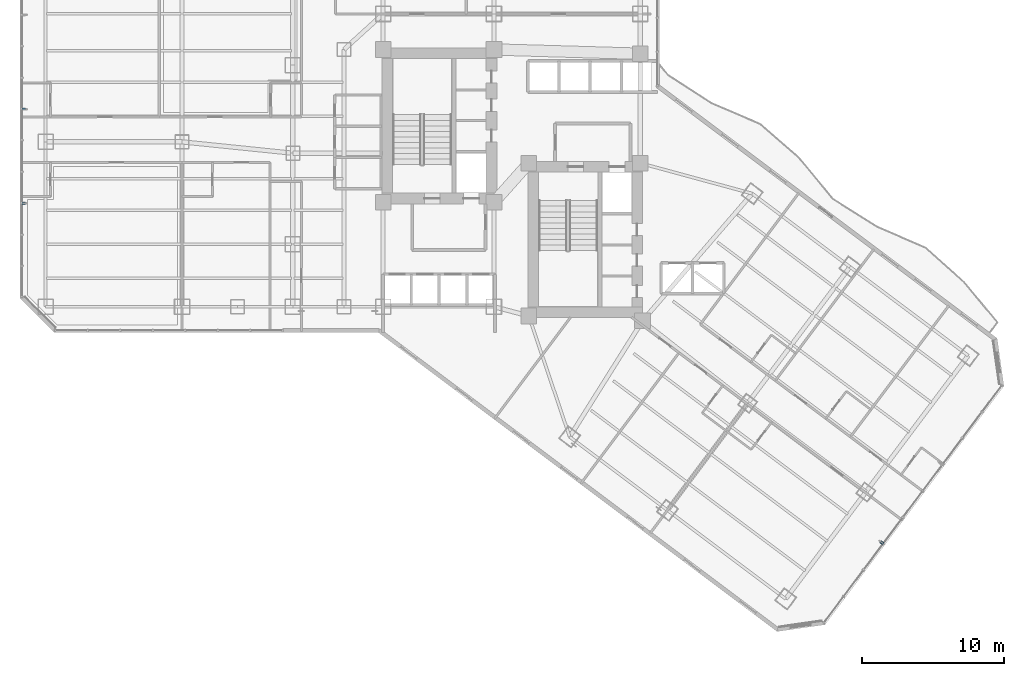
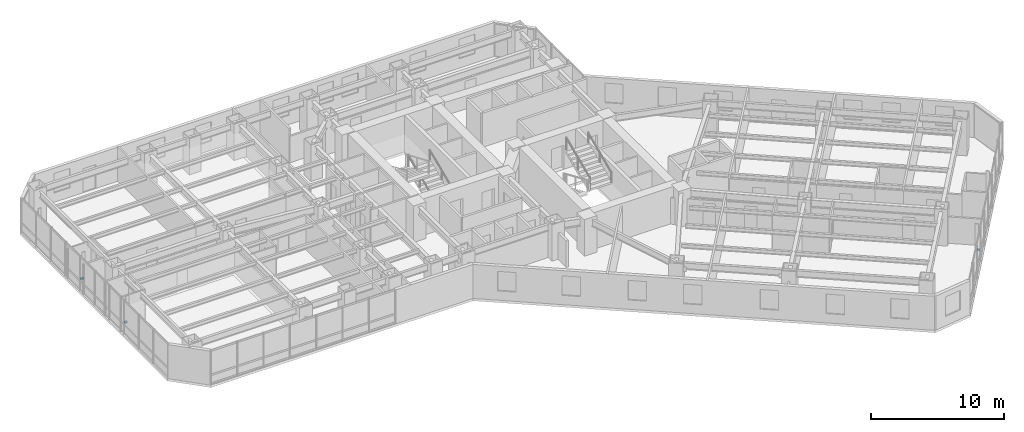
# One storey, part 28 of 37: 3 discrete accessories.
"""IFC4 building model written with IfcOpenShell, lengths in metres."""

import ifcopenshell
import ifcopenshell.guid

model = None  # the IFC model being written
_history = None  # IfcOwnerHistory: only IFC2X3 demands one
_inside = {}  # id of a spatial element -> (the spatial element, [elements in it])
_under = {}  # id of a project, library or spatial element -> (it, [spatial elements below it])
_declared = {}  # id of a project -> (the project, [libraries it declares])
_typed = {}  # id of a type object -> (the type object, [elements of that type])
_made_of = {}  # id of a material, layer set ... -> (it, [elements and type objects made of it])


def new_model(schema):
    """Start an empty IFC model of exactly this schema.

    Asked for "IFC4X3", IfcOpenShell would pick the latest addendum, in which some entities
    have other attributes; the version numbers below select the first issue.
    IFC2X3 requires an IfcOwnerHistory on every rooted entity: one is made here for all.
    """
    global model, _history
    if schema == "IFC4X3":
        model = ifcopenshell.file(schema_version=(4, 3, 0, 0))
    else:
        model = ifcopenshell.file(schema=schema)
    _inside.clear()
    _under.clear()
    _declared.clear()
    _typed.clear()
    _made_of.clear()
    _history = None
    if model.schema == "IFC2X3":
        org = make("IfcOrganization", Name="unknown")
        user = make(
            "IfcPersonAndOrganization",
            ThePerson=make("IfcPerson", FamilyName="unknown"),
            TheOrganization=org,
        )
        app = make(
            "IfcApplication",
            ApplicationDeveloper=org,
            Version="unknown",
            ApplicationFullName="unknown",
            ApplicationIdentifier="unknown",
        )
        _history = make(
            "IfcOwnerHistory",
            OwningUser=user,
            OwningApplication=app,
            ChangeAction="ADDED",
            CreationDate=0,
        )
    return model


def make(cls, **values):
    """One entity of the class cls with the attributes given. An attribute that is None is left unset."""
    return model.create_entity(
        cls, **{name: value for name, value in values.items() if value is not None}
    )


def rooted(cls, **values):
    """An entity with a GlobalId (a new one), such as an element, a storey or a relation."""
    return make(cls, GlobalId=ifcopenshell.guid.new(), OwnerHistory=_history, **values)


def si_unit(unit_type, name, prefix=None):
    """IfcSIUnit, for example si_unit("LENGTHUNIT", "METRE", prefix="MILLI")."""
    return make("IfcSIUnit", UnitType=unit_type, Prefix=prefix, Name=name)


def assignment(units):
    """IfcUnitAssignment: the units of a project."""
    return None if units is None else make("IfcUnitAssignment", Units=units)


def point(xyz):
    """IfcCartesianPoint."""
    return None if xyz is None else make("IfcCartesianPoint", Coordinates=xyz)


def direction(xyz):
    """IfcDirection."""
    return None if xyz is None else make("IfcDirection", DirectionRatios=xyz)


def frame(location, z_axis=None, x_axis=None):
    """IfcAxis2Placement3D, a coordinate frame: its origin and axes. An axis left out is left unset."""
    return make(
        "IfcAxis2Placement3D",
        Location=point(location),
        Axis=direction(z_axis),
        RefDirection=direction(x_axis),
    )


def frame_2d(location, x_axis=None):
    """IfcAxis2Placement2D, a coordinate frame in the plane: its origin and x axis."""
    return make(
        "IfcAxis2Placement2D", Location=point(location), RefDirection=direction(x_axis)
    )


def origin():
    """The frame at (0, 0, 0) with its axes left unset."""
    return frame((0.0, 0.0, 0.0))


def origin_2d():
    """The frame at (0, 0) in the plane with its x axis left unset."""
    return frame_2d((0.0, 0.0))


def place(relative_to, where):
    """IfcLocalPlacement: puts the frame where relative to a parent placement (None: the world)."""
    return make(
        "IfcLocalPlacement", PlacementRelTo=relative_to, RelativePlacement=where
    )


def context(
    kind, dimensions, precision=None, world=None, true_north=None, identifier=None
):
    """IfcGeometricRepresentationContext, for example the 3D "Model" context."""
    return make(
        "IfcGeometricRepresentationContext",
        ContextIdentifier=identifier,
        ContextType=kind,
        CoordinateSpaceDimension=dimensions,
        Precision=precision,
        WorldCoordinateSystem=world,
        TrueNorth=true_north,
    )


def subcontext(parent, identifier, kind, view, scale=None):
    """IfcGeometricRepresentationSubContext, for example "Body" below "Model"."""
    return make(
        "IfcGeometricRepresentationSubContext",
        ContextIdentifier=identifier,
        ContextType=kind,
        ParentContext=parent,
        TargetScale=scale,
        TargetView=view,
    )


def project(units=None, contexts=None):
    """IfcProject with its units and contexts."""
    return rooted(
        "IfcProject",
        Name="project",
        RepresentationContexts=contexts,
        UnitsInContext=assignment(units),
    )


def spatial(cls, under=None, at=None, **own):
    """A site, building, storey or space (cls), placed at a placement, below another one or the project."""
    s = rooted(cls, ObjectPlacement=at, **own)
    if under is not None:
        _under.setdefault(under.id(), (under, []))[1].append(s)
    return s


def profile(cls, at=None, kind="AREA", **sizes):
    """A parametric profile (cls). Its sizes go by their IFC names, for example OverallWidth=200.0."""
    return make(cls, ProfileType=kind, Position=at, **sizes)


def rectangle(**sizes):
    """IfcRectangleProfileDef."""
    return profile("IfcRectangleProfileDef", **sizes)


def extrude(swept, where, along, depth):
    """IfcExtrudedAreaSolid: the profile swept, set in the frame where, extruded along a direction by depth."""
    return make(
        "IfcExtrudedAreaSolid",
        SweptArea=swept,
        Position=where,
        ExtrudedDirection=direction(along),
        Depth=depth,
    )


def shape(context_of_items, identifier, shape_type, items):
    """IfcShapeRepresentation: the items that make up one representation, for example the "Body"."""
    return make(
        "IfcShapeRepresentation",
        ContextOfItems=context_of_items,
        RepresentationIdentifier=identifier,
        RepresentationType=shape_type,
        Items=items,
    )


def material(Name=None, Category=None):
    """IfcMaterial."""
    return make("IfcMaterial", Name=Name, Category=Category)


def made_of(thing, what):
    """Note that an element or type object is made of a material, layer set ...; save() writes the relation."""
    if what is not None:
        _made_of.setdefault(what.id(), (what, []))[1].append(thing)
    return thing


def type_object(cls, material=None, **own):
    """A type object (cls), such as IfcWallType, which elements share."""
    return made_of(rooted(cls, **own), material)


def element(
    cls,
    number,
    at=None,
    inside=None,
    cuts=None,
    type_object=None,
    material=None,
    context=None,
    identifier="Body",
    shape_type=None,
    held_by="IfcProductDefinitionShape",
    body=None,
    shapes=None,
    **own,
):
    """One element of the class cls, such as IfcWall. Its Tag is "e" and its number.

    at: its placement. inside: the storey or other place that contains it. cuts: it is an
    opening in that element (IfcRelVoidsElement). A single representation is given by context,
    identifier, shape_type and body (its items); several are given by shapes. held_by: the class
    of the entity that holds the representations. save() writes the other relations.
    """
    e = rooted(cls, Tag="e%d" % number, ObjectPlacement=at, **own)
    if body is not None:
        shapes = [shape(context, identifier, shape_type, body)]
    if shapes is not None:
        e.Representation = make(held_by, Representations=shapes)
    if inside is not None:
        _inside.setdefault(inside.id(), (inside, []))[1].append(e)
    if cuts is not None:
        rooted(
            "IfcRelVoidsElement", RelatingBuildingElement=cuts, RelatedOpeningElement=e
        )
    if type_object is not None:
        _typed.setdefault(type_object.id(), (type_object, []))[1].append(e)
    return made_of(e, material)


def aggregate(whole, parts):
    """IfcRelAggregates: a whole, such as a stair, and the parts it consists of."""
    return rooted("IfcRelAggregates", RelatingObject=whole, RelatedObjects=parts)


def save(model, path):
    """Write the relations noted so far, then the file.

    IfcRelAggregates (storeys below a building ...), IfcRelContainedInSpatialStructure (elements
    in a storey), IfcRelDefinesByType, IfcRelAssociatesMaterial and IfcRelDeclares: one each for
    every whole, place, type object, material and project.
    """
    for whole, parts in _under.values():
        aggregate(whole, parts)
    for where, things in _inside.values():
        rooted(
            "IfcRelContainedInSpatialStructure",
            RelatedElements=things,
            RelatingStructure=where,
        )
    for kind, things in _typed.values():
        rooted("IfcRelDefinesByType", RelatedObjects=things, RelatingType=kind)
    for what, things in _made_of.values():
        rooted("IfcRelAssociatesMaterial", RelatedObjects=things, RelatingMaterial=what)
    for by, libraries in _declared.values():
        rooted("IfcRelDeclares", RelatingContext=by, RelatedDefinitions=libraries)
    model.write(path)


model = new_model("IFC4")

# Units and contexts
model_context = context("Model", 3, precision=1e-05, world=origin(), true_north=direction((0.0, 1.0)))
body_context = subcontext(model_context, "Body", "Model", "MODEL_VIEW")
ifc_project = project(units=[si_unit("LENGTHUNIT", "METRE"), si_unit("AREAUNIT", "SQUARE_METRE"), si_unit("VOLUMEUNIT", "CUBIC_METRE"), si_unit("PLANEANGLEUNIT", "RADIAN"), si_unit("MASSUNIT", "GRAM", prefix="KILO")], contexts=[model_context])

# Site, building, storey
site_placement = place(None, origin())
site = spatial("IfcSite", under=ifc_project, at=site_placement, CompositionType="ELEMENT")
building_placement = place(site_placement, origin())
building = spatial("IfcBuilding", under=site, at=building_placement, Name="Hatsunagi Terrace Concourse", CompositionType="ELEMENT")
storey_placement = place(building_placement, frame((0.0, 0.0, 39.949951171875)))
storey = spatial("IfcBuildingStorey", under=building, at=storey_placement, Name="L09", CompositionType="ELEMENT", Elevation=39.949951171875)

# Discrete accessories
ifc_material = material(Name="Stainless Steel SUS316 Bracket", Category="steel")
discrete_accessory_type = type_object("IfcDiscreteAccessoryType", Name="FacadeScreenSupportBracket_SS", PredefinedType="BRACKET", material=ifc_material)
for number, where, z_axis, x_axis, name in (
    (1, (60.652099609375, 8.5849609375, 0.97021484375), (0.0, 0.0, 1.0), (-0.599969314634, -0.800023013105, 0.0), "Terracotta Screen Bracket BRK-01"),
    (2, (0.25, 32.48291015625, 0.97021484375), (0.0, 0.0, 1.0), (0.0, 1.0, 0.0), "Terracotta Screen Bracket BRK-01"),
    (3, (0.25, 39.10791015625, 0.97021484375), (0.0, 0.0, 1.0), (0.0, 1.0, 0.0), "Terracotta Screen Bracket BRK-01"),
):
    element("IfcDiscreteAccessory", number, at=place(storey_placement, frame(where, z_axis=z_axis, x_axis=x_axis)), inside=storey, type_object=discrete_accessory_type, Name=name, PredefinedType="BRACKET", context=body_context, shape_type="SweptSolid", body=[
        extrude(rectangle(XDim=0.159912109375, YDim=0.239990234375, at=origin_2d()), origin(), (0.0, 0.0, 1.0), 0.159912109375),
    ])

save(model, "model.ifc")
